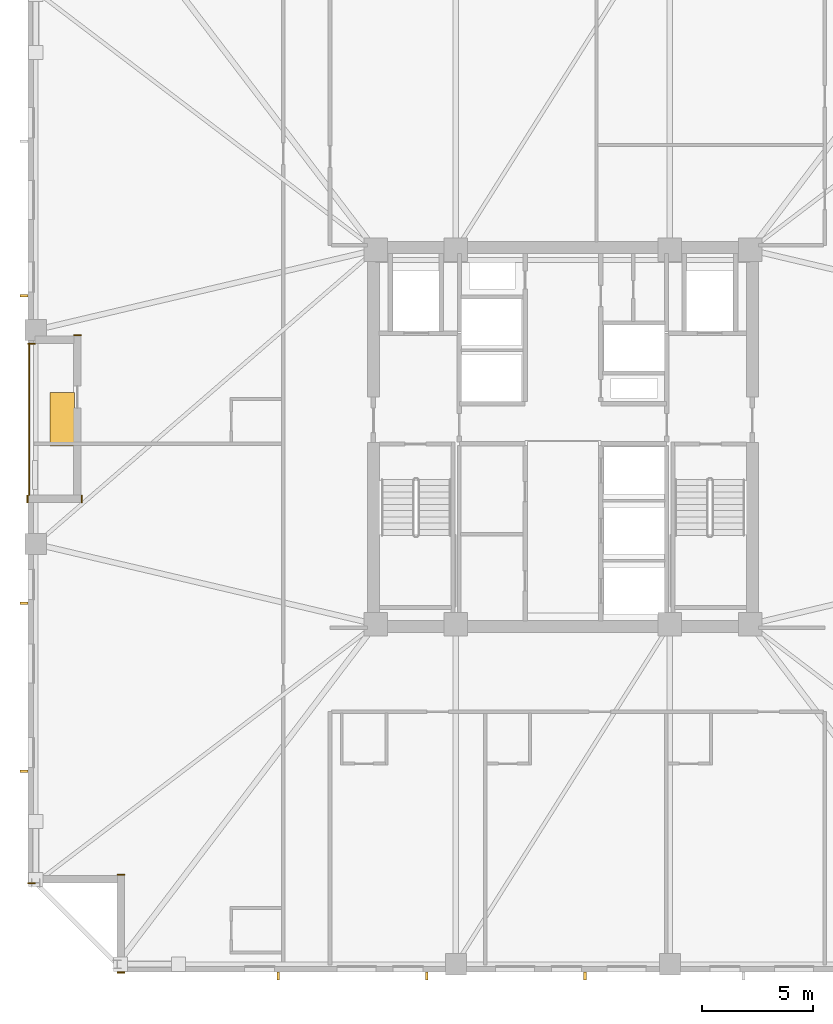
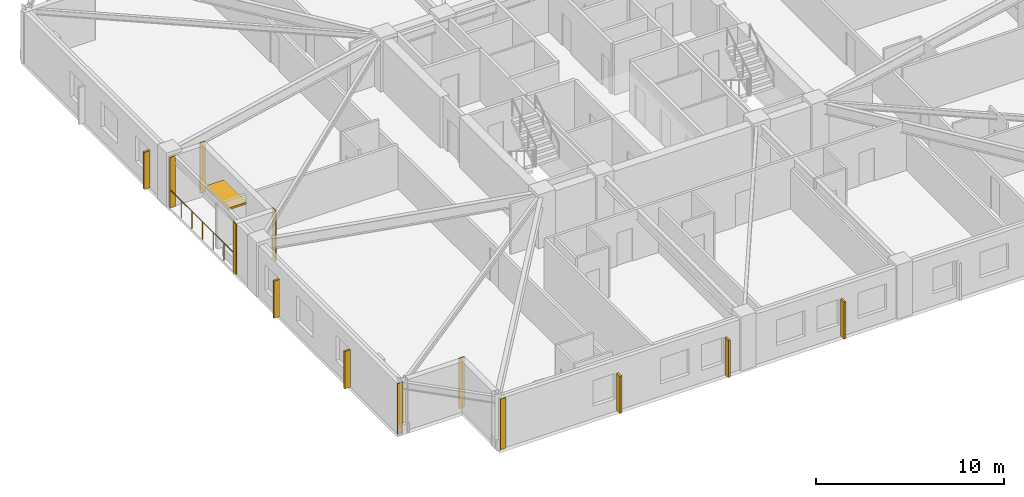
# One storey, part 7 of 11: 7 coverings, 7 shading devices, 1 railing.
"""IFC4 building model written with IfcOpenShell, lengths in metres."""

from ifc_helpers import new_model, si_unit, direction, frame, frame_2d, origin, origin_2d, place, context, subcontext, project, spatial, rectangle, circle, extrude, material, layer, layer_set, type_object, element, save


model = new_model("IFC4")

# Units and contexts
model_context = context("Model", 3, precision=1e-05, world=origin(), true_north=direction((0.0, 1.0)))
body_context = subcontext(model_context, "Body", "Model", "MODEL_VIEW")
ifc_project = project(units=[si_unit("LENGTHUNIT", "METRE"), si_unit("AREAUNIT", "SQUARE_METRE"), si_unit("VOLUMEUNIT", "CUBIC_METRE"), si_unit("PLANEANGLEUNIT", "RADIAN"), si_unit("MASSUNIT", "GRAM", prefix="KILO")], contexts=[model_context])

# Site, building, storey
site_placement = place(None, origin())
site = spatial("IfcSite", under=ifc_project, at=site_placement, CompositionType="ELEMENT")
building_placement = place(site_placement, origin())
building = spatial("IfcBuilding", under=site, at=building_placement, Name="Cairnveth Concourse Tower", CompositionType="ELEMENT")
storey_placement = place(building_placement, frame((0.0, 0.0, 127.0)))
storey = spatial("IfcBuildingStorey", under=building, at=storey_placement, Name="L34", CompositionType="ELEMENT", Elevation=127.0)

# Coverings
ifc_material_1 = material(Name="Dressed Melbourne Bluestone Cladding", Category="masonry")
ifc_layer = layer(ifc_material_1, 0.050048828125)
ifc_layer_set = layer_set([ifc_layer], Name="Dressed Melbourne Bluestone Cladding")
covering_type = type_object("IfcCoveringType", Name="DRESSED BLUESTONE PLINTH CLADDING 50", PredefinedType="CLADDING", material=ifc_layer_set)
for number, where, z_axis, x_axis, name in (
    (1, (28.340087890625, 43.179931640625, 0.0), (0.0, 0.0, 1.0), (-1.0, 0.0, 0.0), "Melbourne Bluestone Corner Quoin L34-483"),
    (2, (32.340087890625, 14.97998046875, 0.0), (0.0, 0.0, 1.0), (-1.0, 0.0, 0.0), "Melbourne Bluestone Corner Quoin L34-493"),
    (3, (32.340087890625, 19.360107421875, 0.0), (0.0, 0.0, 1.0), (-1.0, 0.0, 0.0), "Melbourne Bluestone Corner Quoin L34-494"),
    (4, (28.340087890625, 18.97998046875, 0.0), (0.0, 0.0, 1.0), (-1.0, 0.0, 0.0), "Melbourne Bluestone Corner Quoin L34-495"),
):
    element("IfcCovering", number, at=place(storey_placement, frame(where, z_axis=z_axis, x_axis=x_axis)), inside=storey, type_object=covering_type, Name=name, PredefinedType="CLADDING", context=body_context, shape_type="SweptSolid", body=[
        extrude(rectangle(XDim=0.340087890625, YDim=0.050048828125, at=frame_2d((0.169921875, 0.0))), origin(), (0.0, 0.0, 1.0), 3.280029296875),
    ])
for number, where, z_axis, x_axis, name in (
    (5, (27.97998046875, 36.06005859375, 0.0), (0.0, 0.0, 1.0), (0.0, 1.0, 0.0), "Melbourne Bluestone Corner Quoin L34-496"),
    (6, (30.409912109375, 36.06005859375, 0.0), (0.0, 0.0, 1.0), (0.0, 1.0, 0.0), "Melbourne Bluestone Corner Quoin L34-497"),
    (7, (30.389892578125, 43.56005859375, 0.0), (0.0, 0.0, 1.0), (-1.0, 0.0, 0.0), "Melbourne Bluestone Corner Quoin L34-498"),
):
    element("IfcCovering", number, at=place(storey_placement, frame(where, z_axis=z_axis, x_axis=x_axis)), inside=storey, type_object=covering_type, Name=name, PredefinedType="CLADDING", context=body_context, shape_type="SweptSolid", body=[
        extrude(rectangle(XDim=0.33984375, YDim=0.050048828125, at=frame_2d((0.169921875, 0.0))), origin(), (0.0, 0.0, 1.0), 3.280029296875),
    ])

# Shading devices
ifc_material_2 = material(Name="Architectural Bronze Anodised Aluminium 6063-T6", Category="aluminium")
shading_device_type_1 = type_object("IfcShadingDeviceType", Name="GOTHIC BRONZE VERTICAL LANCET FIN", PredefinedType="USERDEFINED", material=ifc_material_2)
for number, where, z_axis, x_axis, name in (
    (8, (27.824951171875, 45.34521484375, 0.030029296875), (0.0, 0.0, 1.0), (0.0, 1.0, 0.0), "Gothic Bronze Vertical Fin L34-0-1"),
    (9, (52.993896484375, 14.824951171875, 0.030029296875), (0.0, 0.0, 1.0), (1.0, 0.0, 0.0), "Gothic Bronze Vertical Fin L34-9-5"),
    (10, (45.886962890625, 14.824951171875, 0.030029296875), (0.0, 0.0, 1.0), (1.0, 0.0, 0.0), "Gothic Bronze Vertical Fin L34-9-7"),
    (11, (39.229736328125, 14.824951171875, 0.030029296875), (0.0, 0.0, 1.0), (1.0, 0.0, 0.0), "Gothic Bronze Vertical Fin L34-9-9"),
    (12, (27.824951171875, 24.011962890625, 0.030029296875), (0.0, 0.0, 1.0), (0.0, 1.0, 0.0), "Gothic Bronze Vertical Fin L34-12-1"),
    (13, (27.824951171875, 31.550048828125, 0.030029296875), (0.0, 0.0, 1.0), (0.0, 1.0, 0.0), "Gothic Bronze Vertical Fin L34-12-3"),
):
    element("IfcShadingDevice", number, at=place(storey_placement, frame(where, z_axis=z_axis, x_axis=x_axis)), inside=storey, type_object=shading_device_type_1, Name=name, ObjectType="VERTICAL FIN", PredefinedType="USERDEFINED", context=body_context, shape_type="SweptSolid", body=[
        extrude(rectangle(XDim=0.1201171875, YDim=0.360107421875, at=origin_2d()), origin(), (0.0, 0.0, 1.0), 2.419921875),
    ])
shading_device_type_2 = type_object("IfcShadingDeviceType", Name="SPIRAL TERRACE SUNSHADE CANOPY", PredefinedType="USERDEFINED", material=ifc_material_2)
shading_device_placement = place(storey_placement, frame((29.530029296875, 39.800048828125, 2.300048828125), z_axis=(0.0, 0.0, 1.0), x_axis=(1.0, 0.0, 0.0)))
element("IfcShadingDevice", 14, at=shading_device_placement, inside=storey, type_object=shading_device_type_2, Name="Spiral Terrace Sunshade L34", ObjectType="TERRACE SUNSHADE", PredefinedType="USERDEFINED", context=body_context, shape_type="SweptSolid", body=[
    extrude(rectangle(XDim=1.10009765625, YDim=2.39990234375, at=origin_2d()), origin(), (0.0, 0.0, 1.0), 0.1201171875),
])

# Railing
railing_type = type_object("IfcRailingType", Name="TERRACE BRONZE BALUSTRADE 1150", PredefinedType="BALUSTRADE", material=ifc_material_2)
railing_placement = place(storey_placement, frame((28.06005859375, 36.39990234375, 0.0)))
element("IfcRailing", 15, at=railing_placement, inside=storey, type_object=railing_type, Name="Terrace Balustrade RL-L34-TERR", PredefinedType="BALUSTRADE", context=body_context, shape_type="SweptSolid", body=[
    extrude(circle(Radius=0.02490234375, at=origin_2d()), frame((0.0, 0.0, 1.125), z_axis=(0.0, 1.0, 0.0), x_axis=(-1.0, 0.0, 0.0)), (0.0, 0.0, 1.0), 6.800048828125),
    extrude(circle(Radius=0.02099609375, at=origin_2d()), origin(), (0.0, 0.0, 1.0), 1.099853515625),
    extrude(circle(Radius=0.02099609375, at=origin_2d()), frame((0.0, 1.13330078125, 0.0)), (0.0, 0.0, 1.0), 1.099853515625),
    extrude(circle(Radius=0.02099609375, at=origin_2d()), frame((0.0, 2.2666015625, 0.0)), (0.0, 0.0, 1.0), 1.099853515625),
    extrude(circle(Radius=0.02099609375, at=origin_2d()), frame((0.0, 3.39990234375, 0.0)), (0.0, 0.0, 1.0), 1.099853515625),
    extrude(circle(Radius=0.02099609375, at=origin_2d()), frame((0.0, 4.533447265625, 0.0)), (0.0, 0.0, 1.0), 1.099853515625),
    extrude(circle(Radius=0.02099609375, at=origin_2d()), frame((0.0, 5.666748046875, 0.0)), (0.0, 0.0, 1.0), 1.099853515625),
    extrude(circle(Radius=0.02099609375, at=origin_2d()), frame((0.0, 6.800048828125, 0.0)), (0.0, 0.0, 1.0), 1.099853515625),
])

save(model, "model.ifc")
